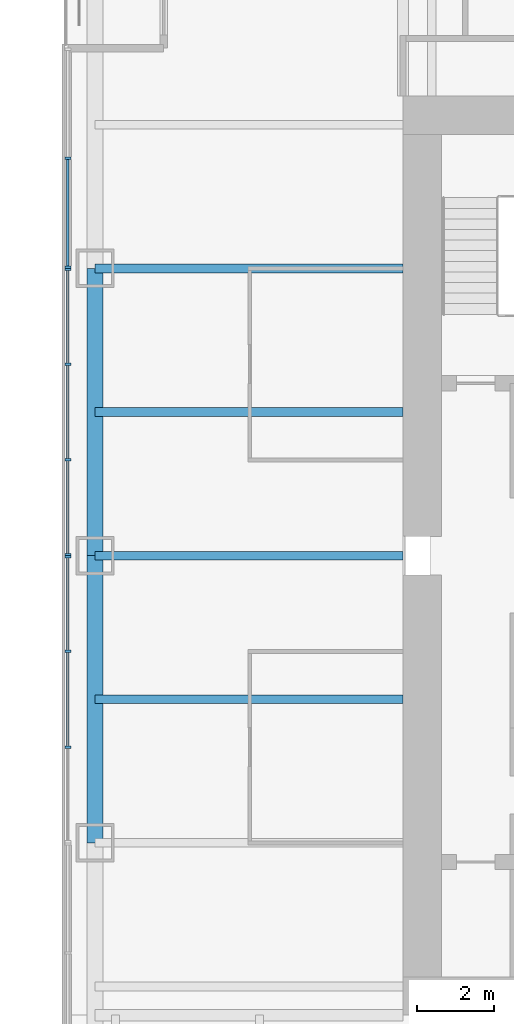
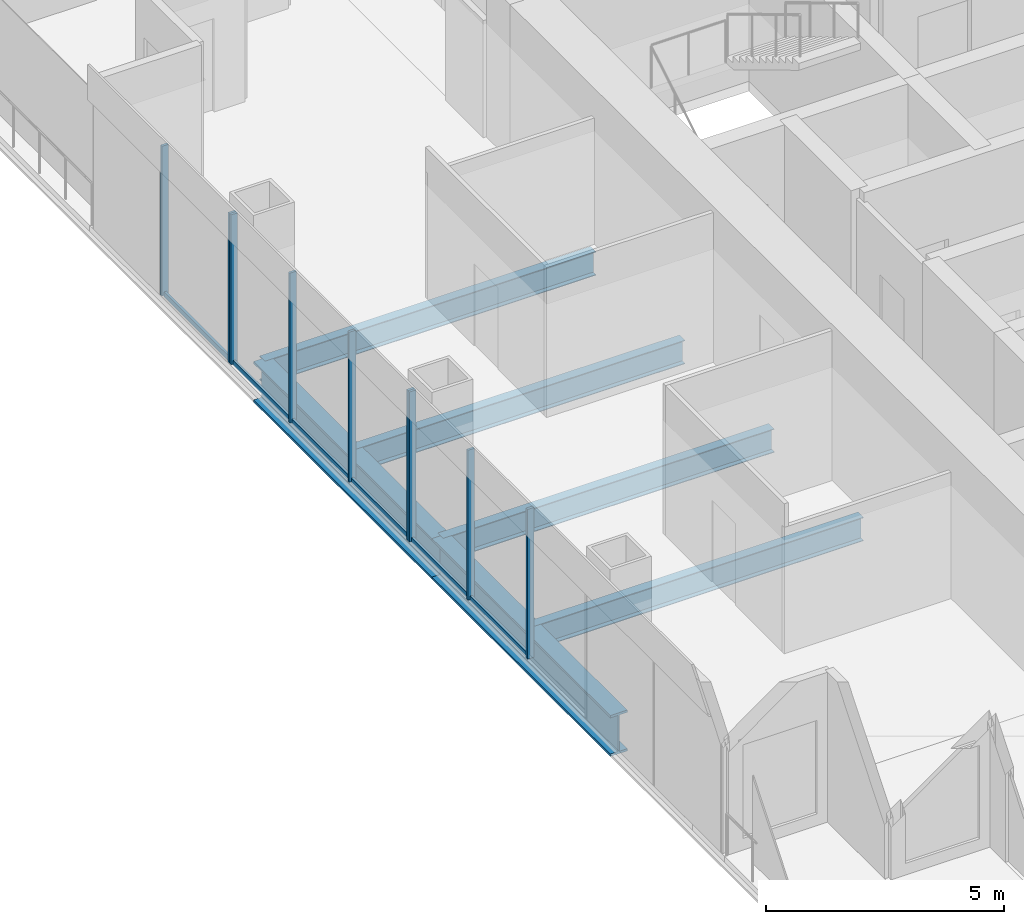
# One storey, part 4 of 14: 15 members, 6 beams, 3 elements without a shape of their own.
"""IFC4 building model written with IfcOpenShell, lengths in metres."""

from ifc_helpers import new_model, si_unit, direction, frame, origin, origin_2d, place, context, subcontext, project, spatial, rectangle, i_section, extrude, material, material_profile, profile_set, type_object, element, aggregate, save


model = new_model("IFC4")

# Units and contexts
model_context = context("Model", 3, precision=1e-05, world=origin(), true_north=direction((0.0, 1.0)))
body_context = subcontext(model_context, "Body", "Model", "MODEL_VIEW")
ifc_project = project(units=[si_unit("LENGTHUNIT", "METRE"), si_unit("AREAUNIT", "SQUARE_METRE"), si_unit("VOLUMEUNIT", "CUBIC_METRE"), si_unit("PLANEANGLEUNIT", "RADIAN"), si_unit("MASSUNIT", "GRAM", prefix="KILO")], contexts=[model_context])

# Site, building, storey
site_placement = place(None, origin())
site = spatial("IfcSite", under=ifc_project, at=site_placement, CompositionType="ELEMENT")
building_placement = place(site_placement, origin())
building = spatial("IfcBuilding", under=site, at=building_placement, Name="Tarangal Relay Tower", CompositionType="ELEMENT")
storey_placement = place(building_placement, frame((0.0, 0.0, 323.89990234375)))
storey = spatial("IfcBuildingStorey", under=building, at=storey_placement, Name="L72", CompositionType="ELEMENT", Elevation=323.89990234375)

# Beams
ifc_material_1 = material(Name="Steel ASTM A992", Category="steel")
ifc_material_profile_1 = material_profile(ifc_material_1, i_section(OverallWidth=0.41162109375, OverallDepth=1.049072265625, WebThickness=0.033935546875, FlangeThickness=0.059814453125, at=origin_2d()), Name="W40X431")
ifc_profile_set_1 = profile_set([ifc_material_profile_1], Name="Steel ASTM A992")
beam_type_1 = type_object("IfcBeamType", Name="Edge girder W40X431", PredefinedType="SPANDREL", material=ifc_profile_set_1)
for number, where, z_axis, x_axis, name in (
    (1, (-20.0400390625, -7.5, -0.67431640625), (0.0, 1.0, 0.0), (-1.0, 0.0, 0.0), "Edge girder EG1 W L72"),
    (2, (-20.0400390625, 0.0, -0.67431640625), (0.0, 1.0, 0.0), (-1.0, 0.0, 0.0), "Edge girder EG1 W L72"),
):
    element("IfcBeam", number, at=place(storey_placement, frame(where, z_axis=z_axis, x_axis=x_axis)), inside=storey, type_object=beam_type_1, Name=name, PredefinedType="SPANDREL", context=body_context, shape_type="SweptSolid", body=[
        extrude(i_section(OverallWidth=0.41162109375, OverallDepth=1.049072265625, WebThickness=0.033935546875, FlangeThickness=0.059814453125, at=origin_2d()), origin(), (0.0, 0.0, 1.0), 7.5),
    ])
ifc_material_profile_2 = material_profile(ifc_material_1, i_section(OverallWidth=0.228271484375, OverallDepth=0.607177734375, WebThickness=0.01123046875, FlangeThickness=0.017333984375, at=origin_2d()), Name="W24X76")
ifc_profile_set_2 = profile_set([ifc_material_profile_2], Name="Steel ASTM A992")
beam_type_2 = type_object("IfcBeamType", Name="Floor beam W24X76", PredefinedType="BEAM", material=ifc_profile_set_2)
for number, where, z_axis, x_axis, name in (
    (3, (-12.0, -3.75, -0.453369140625), (-1.0, 0.0, 0.0), (0.0, -1.0, 0.0), "Floor beam RB5 W L72"),
    (4, (-12.0, 0.0, -0.453369140625), (-1.0, 0.0, 0.0), (0.0, -1.0, 0.0), "Floor beam RB5 W L72"),
    (5, (-12.0, 3.75, -0.453369140625), (-1.0, 0.0, 0.0), (0.0, -1.0, 0.0), "Floor beam RB5 W L72"),
    (6, (-12.0, 7.5, -0.453369140625), (-1.0, 0.0, 0.0), (0.0, -1.0, 0.0), "Floor beam RB5 W L72"),
):
    element("IfcBeam", number, at=place(storey_placement, frame(where, z_axis=z_axis, x_axis=x_axis)), inside=storey, type_object=beam_type_2, Name=name, PredefinedType="BEAM", context=body_context, shape_type="SweptSolid", body=[
        extrude(i_section(OverallWidth=0.228271484375, OverallDepth=0.607177734375, WebThickness=0.01123046875, FlangeThickness=0.017333984375, at=origin_2d()), origin(), (0.0, 0.0, 1.0), 8.0400390625),
    ])

# Curtain wall, members
ifc_material_2 = material(Name="Unitised curtain wall, dark glass and black aluminium", Category="aluminium")
curtain_wall_type_1 = type_object("IfcCurtainWallType", Name="Curtain wall CW-B", PredefinedType="USERDEFINED", material=ifc_material_2)
curtain_wall_1_placement = place(storey_placement, origin())
curtain_wall_1 = element("IfcCurtainWall", 7, at=curtain_wall_1_placement, inside=storey, type_object=curtain_wall_type_1, Name="Curtain wall CW-B W facade L72", ObjectType="UNITISED CURTAIN WALL", PredefinedType="USERDEFINED")
ifc_material_3 = material(Name="Black anodised aluminium mullion", Category="aluminium")
ifc_material_profile_3 = material_profile(ifc_material_3, rectangle(XDim=0.159912109375, YDim=0.06005859375, at=origin_2d()), Name="CW-BM 60X160")
ifc_profile_set_3 = profile_set([ifc_material_profile_3], Name="Black anodised aluminium mullion")
member_type_1 = type_object("IfcMemberType", Name="Mullion CW-B 60 x 160", PredefinedType="MULLION", material=ifc_profile_set_3)
member_1_placement = place(storey_placement, frame((-20.75, -5.0, 0.0), z_axis=(0.0, 0.0, 1.0), x_axis=(-1.0, 0.0, 0.0)))
member_1 = element("IfcMember", 8, at=member_1_placement, type_object=member_type_1, Name="CW-B mullion 2", PredefinedType="MULLION", context=body_context, shape_type="SweptSolid", body=[
    extrude(rectangle(XDim=0.159912109375, YDim=0.06005859375, at=origin_2d()), origin(), (0.0, 0.0, 1.0), 3.85009765625),
])
member_2_placement = place(storey_placement, frame((-20.75, -2.5, 0.0), z_axis=(0.0, 0.0, 1.0), x_axis=(-1.0, 0.0, 0.0)))
member_2 = element("IfcMember", 9, at=member_2_placement, type_object=member_type_1, Name="CW-B mullion 3", PredefinedType="MULLION", context=body_context, shape_type="SweptSolid", body=[
    extrude(rectangle(XDim=0.159912109375, YDim=0.06005859375, at=origin_2d()), origin(), (0.0, 0.0, 1.0), 3.85009765625),
])
member_3_placement = place(storey_placement, frame((-20.75, -0.030029296875, 0.0), z_axis=(0.0, 0.0, 1.0), x_axis=(-1.0, 0.0, 0.0)))
member_3 = element("IfcMember", 10, at=member_3_placement, type_object=member_type_1, Name="CW-B mullion 4", PredefinedType="MULLION", context=body_context, shape_type="SweptSolid", body=[
    extrude(rectangle(XDim=0.159912109375, YDim=0.06005859375, at=origin_2d()), origin(), (0.0, 0.0, 1.0), 3.85009765625),
])

curtain_wall_2_placement = place(storey_placement, origin())
curtain_wall_2 = element("IfcCurtainWall", 11, at=curtain_wall_2_placement, inside=storey, type_object=curtain_wall_type_1, Name="Curtain wall CW-B W facade L72", ObjectType="UNITISED CURTAIN WALL", PredefinedType="USERDEFINED")
member_4_placement = place(storey_placement, frame((-20.75, 0.030029296875, 0.0), z_axis=(0.0, 0.0, 1.0), x_axis=(-1.0, 0.0, 0.0)))
member_4 = element("IfcMember", 12, at=member_4_placement, type_object=member_type_1, Name="CW-B mullion 1", PredefinedType="MULLION", context=body_context, shape_type="SweptSolid", body=[
    extrude(rectangle(XDim=0.159912109375, YDim=0.06005859375, at=origin_2d()), origin(), (0.0, 0.0, 1.0), 3.85009765625),
])
member_5_placement = place(storey_placement, frame((-20.75, 2.5, 0.0), z_axis=(0.0, 0.0, 1.0), x_axis=(-1.0, 0.0, 0.0)))
member_5 = element("IfcMember", 13, at=member_5_placement, type_object=member_type_1, Name="CW-B mullion 2", PredefinedType="MULLION", context=body_context, shape_type="SweptSolid", body=[
    extrude(rectangle(XDim=0.159912109375, YDim=0.06005859375, at=origin_2d()), origin(), (0.0, 0.0, 1.0), 3.85009765625),
])
member_6_placement = place(storey_placement, frame((-20.75, 5.0, 0.0), z_axis=(0.0, 0.0, 1.0), x_axis=(-1.0, 0.0, 0.0)))
member_6 = element("IfcMember", 14, at=member_6_placement, type_object=member_type_1, Name="CW-B mullion 3", PredefinedType="MULLION", context=body_context, shape_type="SweptSolid", body=[
    extrude(rectangle(XDim=0.159912109375, YDim=0.06005859375, at=origin_2d()), origin(), (0.0, 0.0, 1.0), 3.85009765625),
])
member_7_placement = place(storey_placement, frame((-20.75, 7.469970703125, 0.0), z_axis=(0.0, 0.0, 1.0), x_axis=(-1.0, 0.0, 0.0)))
member_7 = element("IfcMember", 15, at=member_7_placement, type_object=member_type_1, Name="CW-B mullion 4", PredefinedType="MULLION", context=body_context, shape_type="SweptSolid", body=[
    extrude(rectangle(XDim=0.159912109375, YDim=0.06005859375, at=origin_2d()), origin(), (0.0, 0.0, 1.0), 3.85009765625),
])

ifc_material_4 = material(Name="Unitised curtain wall frame, black aluminium, with metal clad infill walls", Category="aluminium")
curtain_wall_type_2 = type_object("IfcCurtainWallType", Name="Curtain wall CW-BO", PredefinedType="USERDEFINED", material=ifc_material_4)
curtain_wall_3_placement = place(storey_placement, origin())
curtain_wall_3 = element("IfcCurtainWall", 16, at=curtain_wall_3_placement, inside=storey, type_object=curtain_wall_type_2, Name="Curtain wall CW-BO W facade L72", ObjectType="UNITISED CURTAIN WALL", PredefinedType="USERDEFINED")
ifc_material_profile_4 = material_profile(ifc_material_3, rectangle(XDim=0.159912109375, YDim=0.06005859375, at=origin_2d()), Name="CW-BOM 60X160")
ifc_profile_set_4 = profile_set([ifc_material_profile_4], Name="Black anodised aluminium mullion")
member_type_2 = type_object("IfcMemberType", Name="Mullion CW-BO 60 x 160", PredefinedType="MULLION", material=ifc_profile_set_4)
member_8_placement = place(storey_placement, frame((-20.75, 7.530029296875, 0.0), z_axis=(0.0, 0.0, 1.0), x_axis=(-1.0, 0.0, 0.0)))
member_8 = element("IfcMember", 17, at=member_8_placement, type_object=member_type_2, Name="CW-BO mullion 1", PredefinedType="MULLION", context=body_context, shape_type="SweptSolid", body=[
    extrude(rectangle(XDim=0.159912109375, YDim=0.06005859375, at=origin_2d()), origin(), (0.0, 0.0, 1.0), 3.85009765625),
])
member_9_placement = place(storey_placement, frame((-20.75, 10.375, 0.0), z_axis=(0.0, 0.0, 1.0), x_axis=(-1.0, 0.0, 0.0)))
member_9 = element("IfcMember", 18, at=member_9_placement, type_object=member_type_2, Name="CW-BO mullion 2", PredefinedType="MULLION", context=body_context, shape_type="SweptSolid", body=[
    extrude(rectangle(XDim=0.159912109375, YDim=0.06005859375, at=origin_2d()), origin(), (0.0, 0.0, 1.0), 3.85009765625),
])

# Member
ifc_material_5 = material(Name="Black anodised aluminium transom", Category="aluminium")
ifc_material_profile_5 = material_profile(ifc_material_5, rectangle(XDim=0.06005859375, YDim=0.1298828125, at=origin_2d()), Name="CW-BT 60X130")
ifc_profile_set_5 = profile_set([ifc_material_profile_5], Name="Black anodised aluminium transom")
member_type_3 = type_object("IfcMemberType", Name="Transom CW-B 60 x 130", PredefinedType="USERDEFINED", material=ifc_profile_set_5)
member_10_placement = place(storey_placement, frame((-20.75, -4.969970703125, 0.030029296875), z_axis=(0.0, 1.0, 0.0), x_axis=(-1.0, 0.0, 0.0)))
member_10 = element("IfcMember", 19, at=member_10_placement, type_object=member_type_3, Name="CW-B transom 2.1", ObjectType="TRANSOM", PredefinedType="USERDEFINED", context=body_context, shape_type="SweptSolid", body=[
    extrude(rectangle(XDim=0.06005859375, YDim=0.1298828125, at=origin_2d()), origin(), (0.0, 0.0, 1.0), 2.43994140625),
])

member_11_placement = place(storey_placement, frame((-20.75, -2.469970703125, 0.030029296875), z_axis=(0.0, 1.0, 0.0), x_axis=(-1.0, 0.0, 0.0)))
member_11 = element("IfcMember", 20, at=member_11_placement, type_object=member_type_3, Name="CW-B transom 3.1", ObjectType="TRANSOM", PredefinedType="USERDEFINED", context=body_context, shape_type="SweptSolid", body=[
    extrude(rectangle(XDim=0.06005859375, YDim=0.1298828125, at=origin_2d()), origin(), (0.0, 0.0, 1.0), 2.409912109375),
])

aggregate(curtain_wall_1, [member_1, member_2, member_3, member_10, member_11])

member_12_placement = place(storey_placement, frame((-20.75, 0.06005859375, 0.030029296875), z_axis=(0.0, 1.0, 0.0), x_axis=(-1.0, 0.0, 0.0)))
member_12 = element("IfcMember", 21, at=member_12_placement, type_object=member_type_3, Name="CW-B transom 1.1", ObjectType="TRANSOM", PredefinedType="USERDEFINED", context=body_context, shape_type="SweptSolid", body=[
    extrude(rectangle(XDim=0.06005859375, YDim=0.1298828125, at=origin_2d()), origin(), (0.0, 0.0, 1.0), 2.409912109375),
])

member_13_placement = place(storey_placement, frame((-20.75, 2.530029296875, 0.030029296875), z_axis=(0.0, 1.0, 0.0), x_axis=(-1.0, 0.0, 0.0)))
member_13 = element("IfcMember", 22, at=member_13_placement, type_object=member_type_3, Name="CW-B transom 2.1", ObjectType="TRANSOM", PredefinedType="USERDEFINED", context=body_context, shape_type="SweptSolid", body=[
    extrude(rectangle(XDim=0.06005859375, YDim=0.1298828125, at=origin_2d()), origin(), (0.0, 0.0, 1.0), 2.43994140625),
])

member_14_placement = place(storey_placement, frame((-20.75, 5.030029296875, 0.030029296875), z_axis=(0.0, 1.0, 0.0), x_axis=(-1.0, 0.0, 0.0)))
member_14 = element("IfcMember", 23, at=member_14_placement, type_object=member_type_3, Name="CW-B transom 3.1", ObjectType="TRANSOM", PredefinedType="USERDEFINED", context=body_context, shape_type="SweptSolid", body=[
    extrude(rectangle(XDim=0.06005859375, YDim=0.1298828125, at=origin_2d()), origin(), (0.0, 0.0, 1.0), 2.409912109375),
])

aggregate(curtain_wall_2, [member_4, member_5, member_6, member_7, member_12, member_13, member_14])

ifc_material_profile_6 = material_profile(ifc_material_5, rectangle(XDim=0.06005859375, YDim=0.1298828125, at=origin_2d()), Name="CW-BOT 60X130")
ifc_profile_set_6 = profile_set([ifc_material_profile_6], Name="Black anodised aluminium transom")
member_type_4 = type_object("IfcMemberType", Name="Transom CW-BO 60 x 130", PredefinedType="USERDEFINED", material=ifc_profile_set_6)
member_15_placement = place(storey_placement, frame((-20.75, 7.56005859375, 0.030029296875), z_axis=(0.0, 1.0, 0.0), x_axis=(-1.0, 0.0, 0.0)))
member_15 = element("IfcMember", 24, at=member_15_placement, type_object=member_type_4, Name="CW-BO transom 1.1", ObjectType="TRANSOM", PredefinedType="USERDEFINED", context=body_context, shape_type="SweptSolid", body=[
    extrude(rectangle(XDim=0.06005859375, YDim=0.1298828125, at=origin_2d()), origin(), (0.0, 0.0, 1.0), 2.784912109375),
])

aggregate(curtain_wall_3, [member_8, member_9, member_15])

save(model, "model.ifc")
